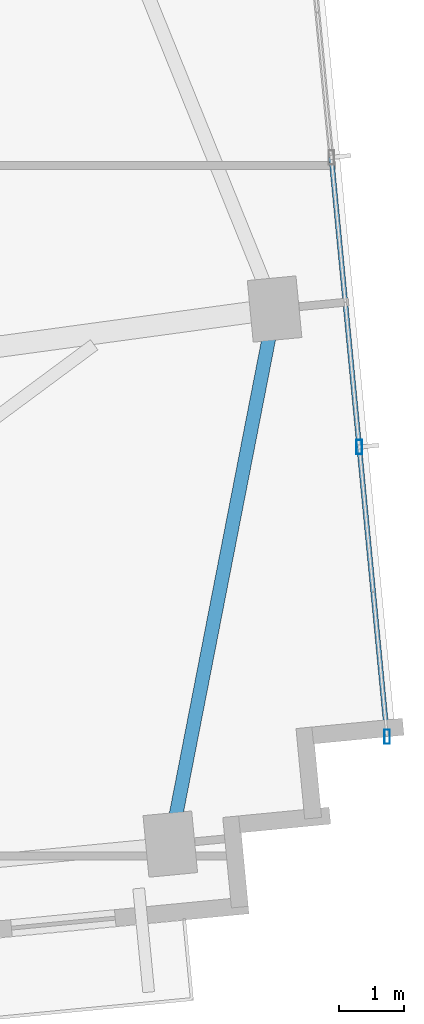
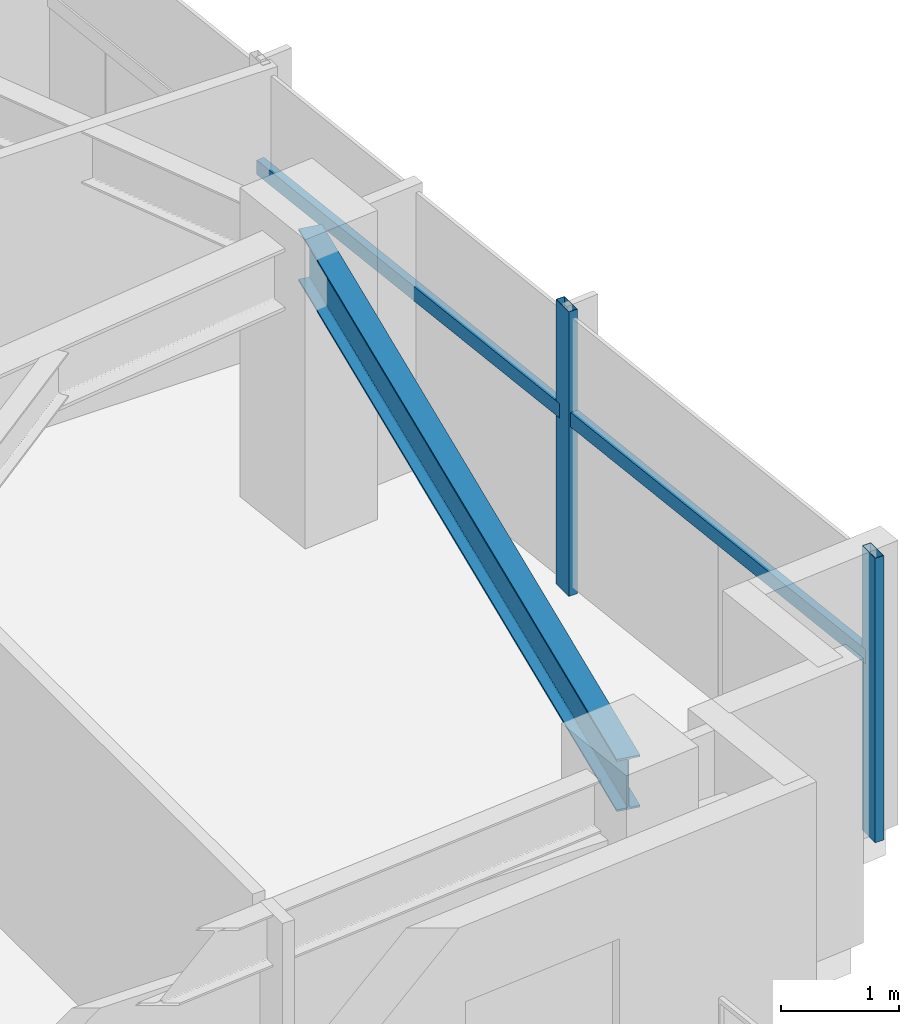
# One storey, part 10 of 18: 4 members, 1 beam, 1 element without a shape of its own.
"""IFC4 building model written with IfcOpenShell, lengths in metres."""

from ifc_helpers import new_model, si_unit, direction, frame, origin, origin_2d, place, context, subcontext, project, spatial, hollow_rectangle, i_section, extrude, source, transform, mapped, material, material_profile, profile_set, type_object, type_shapes, element, aggregate, save


model = new_model("IFC4")

# Units and contexts
model_context = context("Model", 3, precision=1e-05, world=origin(), true_north=direction((0.0, 1.0)))
body_context = subcontext(model_context, "Body", "Model", "MODEL_VIEW")
ifc_project = project(units=[si_unit("LENGTHUNIT", "METRE"), si_unit("AREAUNIT", "SQUARE_METRE"), si_unit("VOLUMEUNIT", "CUBIC_METRE"), si_unit("PLANEANGLEUNIT", "RADIAN"), si_unit("MASSUNIT", "GRAM", prefix="KILO")], contexts=[model_context])

# Site, building, storey
site_placement = place(None, origin())
site = spatial("IfcSite", under=ifc_project, at=site_placement, CompositionType="ELEMENT")
building_placement = place(site_placement, origin())
building = spatial("IfcBuilding", under=site, at=building_placement, Name="Astriad Promenade Condominiums", CompositionType="ELEMENT")
storey_placement = place(building_placement, frame((0.0, 0.0, 179.39990234375)))
storey = spatial("IfcBuildingStorey", under=building, at=storey_placement, Name="L51", CompositionType="ELEMENT", Elevation=179.39990234375)

# Beam
ifc_material_1 = material(Name="Steel ASTM A992 Grade 50", Category="steel")
ifc_material_profile_1 = material_profile(ifc_material_1, i_section(OverallWidth=0.210693359375, OverallDepth=0.53955078125, WebThickness=0.01171875, FlangeThickness=0.018798828125, FilletRadius=0.0166015625, at=origin_2d()), Name="W21X73")
ifc_profile_set_1 = profile_set([ifc_material_profile_1], Name="Steel ASTM A992 Grade 50")
beam_type = type_object("IfcBeamType", Name="STEEL SPANDREL BEAM W21X73", PredefinedType="SPANDREL", material=ifc_profile_set_1)
shared_shape_1 = source(origin(), body_context, "Body", "SweptSolid", [
    extrude(i_section(OverallWidth=0.210693359375, OverallDepth=0.53955078125, WebThickness=0.01171875, FlangeThickness=0.018798828125, FilletRadius=0.0166015625, at=origin_2d()), origin(), (0.0, 0.0, 1.0), 8.28564453125),
])
type_shapes(beam_type, [shared_shape_1])
beam_placement = place(storey_placement, frame((61.775634765625, 11.6552734375, 2.67041015625), z_axis=(0.191291582099, 0.981533254973, 0.0), x_axis=(-0.981533254973, 0.191291582099, 0.0)))
element("IfcBeam", 1, at=beam_placement, inside=storey, type_object=beam_type, Name="Perimeter Spandrel Beam SP-E1-L51", PredefinedType="SPANDREL", context=body_context, shape_type="MappedRepresentation", body=[
    mapped(shared_shape_1, transform((0.0, 0.0, 0.0), scale=1.0)),
])

# Curtain wall, members
ifc_material_2 = material(Name="Anodised aluminium Black Dark Glass Unitised", Category="aluminium")
curtain_wall_type = type_object("IfcCurtainWallType", Name="CW-B34-DARK", PredefinedType="USERDEFINED", material=ifc_material_2)
curtain_wall_placement = place(storey_placement, origin())
curtain_wall = element("IfcCurtainWall", 2, at=curtain_wall_placement, inside=storey, type_object=curtain_wall_type, Name="CW-L51-E", ObjectType="UNITISED_CURTAIN_WALL", PredefinedType="USERDEFINED")
ifc_material_3 = material(Name="Anodised aluminium 6063-T6 Black", Category="aluminium")
ifc_material_profile_2 = material_profile(ifc_material_3, hollow_rectangle(XDim=0.0849609375, YDim=0.219970703125, WallThickness=0.0048828125, at=origin_2d()), Name="ALU-MUL-85X220")
ifc_profile_set_2 = profile_set([ifc_material_profile_2], Name="Anodised aluminium 6063-T6 Black")
member_type_1 = type_object("IfcMemberType", Name="MUL-ALU-MUL-85X220", PredefinedType="MULLION", material=ifc_profile_set_2)
shared_shape_2 = source(origin(), body_context, "Body", "SweptSolid", [
    extrude(hollow_rectangle(XDim=0.0849609375, YDim=0.219970703125, WallThickness=0.0048828125, at=origin_2d()), origin(), (0.0, 0.0, 1.0), 2.940185546875),
])
type_shapes(member_type_1, [shared_shape_2])
member_1_placement = place(storey_placement, frame((64.667236328125, 17.70849609375, 0.0), z_axis=(0.0, 0.0, 1.0), x_axis=(1.0, 0.0, 0.0)))
member_1 = element("IfcMember", 3, at=member_1_placement, type_object=member_type_1, Name="CW-L51-E-MUL-02", PredefinedType="MULLION", context=body_context, shape_type="MappedRepresentation", body=[
    mapped(shared_shape_2, transform((0.0, 0.0, 0.0), scale=1.0)),
])
member_2_placement = place(storey_placement, frame((65.095458984375, 13.262451171875, 0.0), z_axis=(0.0, 0.0, 1.0), x_axis=(1.0, 0.0, 0.0)))
member_2 = element("IfcMember", 4, at=member_2_placement, type_object=member_type_1, Name="CW-L51-E-MUL-03", PredefinedType="MULLION", context=body_context, shape_type="MappedRepresentation", body=[
    mapped(shared_shape_2, transform((0.0, 0.0, 0.0), scale=1.0)),
])
ifc_material_profile_3 = material_profile(ifc_material_3, hollow_rectangle(XDim=0.074951171875, YDim=0.14990234375, WallThickness=0.004150390625, at=origin_2d()), Name="ALU-TRN-75X150")
ifc_profile_set_3 = profile_set([ifc_material_profile_3], Name="Anodised aluminium 6063-T6 Black")
member_type_2 = type_object("IfcMemberType", Name="TRN-ALU-TRN-75X150", PredefinedType="USERDEFINED", material=ifc_profile_set_3)
shared_shape_3 = source(origin(), body_context, "Body", "SweptSolid", [
    extrude(hollow_rectangle(XDim=0.074951171875, YDim=0.14990234375, WallThickness=0.004150390625, at=origin_2d()), origin(), (0.0, 0.0, 1.0), 4.466552734375),
])
type_shapes(member_type_2, [shared_shape_3])
member_3_placement = place(storey_placement, frame((64.239013671875, 22.154541015625, 1.822998046875), z_axis=(0.095871755514, -0.995393694221, 0.0), x_axis=(0.995393694221, 0.095871755514, 0.0)))
member_3 = element("IfcMember", 5, at=member_3_placement, type_object=member_type_2, Name="CW-L51-E-TRN-01-0", ObjectType="TRANSOM", PredefinedType="USERDEFINED", context=body_context, shape_type="MappedRepresentation", body=[
    mapped(shared_shape_3, transform((0.0, 0.0, 0.0), scale=1.0)),
])
member_4_placement = place(storey_placement, frame((64.667236328125, 17.70849609375, 1.822998046875), z_axis=(0.095871755514, -0.995393694221, 0.0), x_axis=(0.995393694221, 0.095871755514, 0.0)))
member_4 = element("IfcMember", 6, at=member_4_placement, type_object=member_type_2, Name="CW-L51-E-TRN-02-0", ObjectType="TRANSOM", PredefinedType="USERDEFINED", context=body_context, shape_type="MappedRepresentation", body=[
    mapped(shared_shape_3, transform((0.0, 0.0, 0.0), scale=1.0)),
])
aggregate(curtain_wall, [member_1, member_2, member_3, member_4])

save(model, "model.ifc")
